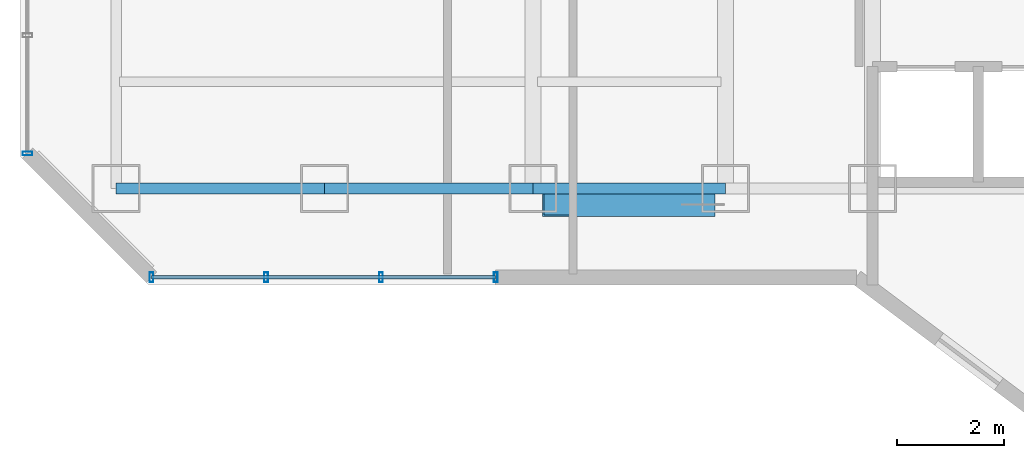
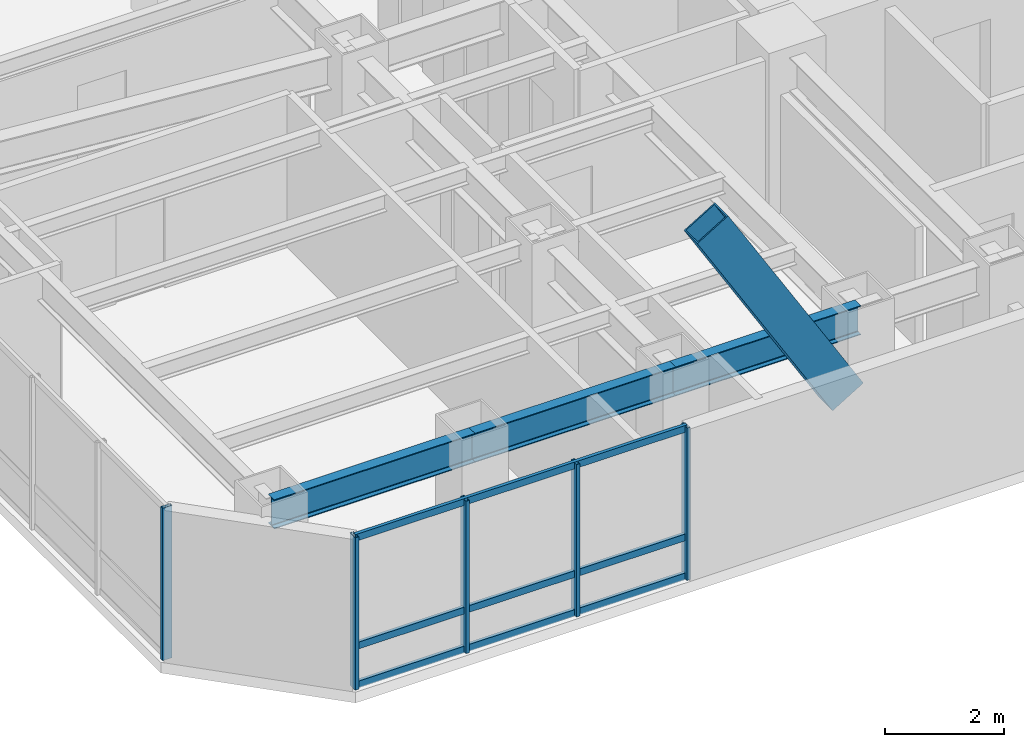
# One storey, part 2 of 31: 9 members, 3 beams, 2 elements without a shape of their own.
"""IFC4 building model written with IfcOpenShell, lengths in metres."""

import ifcopenshell
import ifcopenshell.guid

model = None  # the IFC model being written
_history = None  # IfcOwnerHistory: only IFC2X3 demands one
_inside = {}  # id of a spatial element -> (the spatial element, [elements in it])
_under = {}  # id of a project, library or spatial element -> (it, [spatial elements below it])
_declared = {}  # id of a project -> (the project, [libraries it declares])
_typed = {}  # id of a type object -> (the type object, [elements of that type])
_made_of = {}  # id of a material, layer set ... -> (it, [elements and type objects made of it])


def new_model(schema):
    """Start an empty IFC model of exactly this schema.

    Asked for "IFC4X3", IfcOpenShell would pick the latest addendum, in which some entities
    have other attributes; the version numbers below select the first issue.
    IFC2X3 requires an IfcOwnerHistory on every rooted entity: one is made here for all.
    """
    global model, _history
    if schema == "IFC4X3":
        model = ifcopenshell.file(schema_version=(4, 3, 0, 0))
    else:
        model = ifcopenshell.file(schema=schema)
    _inside.clear()
    _under.clear()
    _declared.clear()
    _typed.clear()
    _made_of.clear()
    _history = None
    if model.schema == "IFC2X3":
        org = make("IfcOrganization", Name="unknown")
        user = make(
            "IfcPersonAndOrganization",
            ThePerson=make("IfcPerson", FamilyName="unknown"),
            TheOrganization=org,
        )
        app = make(
            "IfcApplication",
            ApplicationDeveloper=org,
            Version="unknown",
            ApplicationFullName="unknown",
            ApplicationIdentifier="unknown",
        )
        _history = make(
            "IfcOwnerHistory",
            OwningUser=user,
            OwningApplication=app,
            ChangeAction="ADDED",
            CreationDate=0,
        )
    return model


def make(cls, **values):
    """One entity of the class cls with the attributes given. An attribute that is None is left unset."""
    return model.create_entity(
        cls, **{name: value for name, value in values.items() if value is not None}
    )


def rooted(cls, **values):
    """An entity with a GlobalId (a new one), such as an element, a storey or a relation."""
    return make(cls, GlobalId=ifcopenshell.guid.new(), OwnerHistory=_history, **values)


def si_unit(unit_type, name, prefix=None):
    """IfcSIUnit, for example si_unit("LENGTHUNIT", "METRE", prefix="MILLI")."""
    return make("IfcSIUnit", UnitType=unit_type, Prefix=prefix, Name=name)


def assignment(units):
    """IfcUnitAssignment: the units of a project."""
    return None if units is None else make("IfcUnitAssignment", Units=units)


def point(xyz):
    """IfcCartesianPoint."""
    return None if xyz is None else make("IfcCartesianPoint", Coordinates=xyz)


def direction(xyz):
    """IfcDirection."""
    return None if xyz is None else make("IfcDirection", DirectionRatios=xyz)


def frame(location, z_axis=None, x_axis=None):
    """IfcAxis2Placement3D, a coordinate frame: its origin and axes. An axis left out is left unset."""
    return make(
        "IfcAxis2Placement3D",
        Location=point(location),
        Axis=direction(z_axis),
        RefDirection=direction(x_axis),
    )


def frame_2d(location, x_axis=None):
    """IfcAxis2Placement2D, a coordinate frame in the plane: its origin and x axis."""
    return make(
        "IfcAxis2Placement2D", Location=point(location), RefDirection=direction(x_axis)
    )


def origin():
    """The frame at (0, 0, 0) with its axes left unset."""
    return frame((0.0, 0.0, 0.0))


def origin_2d():
    """The frame at (0, 0) in the plane with its x axis left unset."""
    return frame_2d((0.0, 0.0))


def place(relative_to, where):
    """IfcLocalPlacement: puts the frame where relative to a parent placement (None: the world)."""
    return make(
        "IfcLocalPlacement", PlacementRelTo=relative_to, RelativePlacement=where
    )


def context(
    kind, dimensions, precision=None, world=None, true_north=None, identifier=None
):
    """IfcGeometricRepresentationContext, for example the 3D "Model" context."""
    return make(
        "IfcGeometricRepresentationContext",
        ContextIdentifier=identifier,
        ContextType=kind,
        CoordinateSpaceDimension=dimensions,
        Precision=precision,
        WorldCoordinateSystem=world,
        TrueNorth=true_north,
    )


def subcontext(parent, identifier, kind, view, scale=None):
    """IfcGeometricRepresentationSubContext, for example "Body" below "Model"."""
    return make(
        "IfcGeometricRepresentationSubContext",
        ContextIdentifier=identifier,
        ContextType=kind,
        ParentContext=parent,
        TargetScale=scale,
        TargetView=view,
    )


def project(units=None, contexts=None):
    """IfcProject with its units and contexts."""
    return rooted(
        "IfcProject",
        Name="project",
        RepresentationContexts=contexts,
        UnitsInContext=assignment(units),
    )


def spatial(cls, under=None, at=None, **own):
    """A site, building, storey or space (cls), placed at a placement, below another one or the project."""
    s = rooted(cls, ObjectPlacement=at, **own)
    if under is not None:
        _under.setdefault(under.id(), (under, []))[1].append(s)
    return s


def profile(cls, at=None, kind="AREA", **sizes):
    """A parametric profile (cls). Its sizes go by their IFC names, for example OverallWidth=200.0."""
    return make(cls, ProfileType=kind, Position=at, **sizes)


def hollow_rectangle(**sizes):
    """IfcRectangleHollowProfileDef."""
    return profile("IfcRectangleHollowProfileDef", **sizes)


def i_section(**sizes):
    """IfcIShapeProfileDef."""
    return profile("IfcIShapeProfileDef", **sizes)


def extrude(swept, where, along, depth):
    """IfcExtrudedAreaSolid: the profile swept, set in the frame where, extruded along a direction by depth."""
    return make(
        "IfcExtrudedAreaSolid",
        SweptArea=swept,
        Position=where,
        ExtrudedDirection=direction(along),
        Depth=depth,
    )


def shape(context_of_items, identifier, shape_type, items):
    """IfcShapeRepresentation: the items that make up one representation, for example the "Body"."""
    return make(
        "IfcShapeRepresentation",
        ContextOfItems=context_of_items,
        RepresentationIdentifier=identifier,
        RepresentationType=shape_type,
        Items=items,
    )


def material(Name=None, Category=None):
    """IfcMaterial."""
    return make("IfcMaterial", Name=Name, Category=Category)


def layer(
    of_material, thickness, ventilated=None, Name=None, Category=None, Priority=None
):
    """IfcMaterialLayer: one layer of a wall or slab, of a material (None: an air gap)."""
    return make(
        "IfcMaterialLayer",
        Material=of_material,
        LayerThickness=thickness,
        IsVentilated=ventilated,
        Name=Name,
        Category=Category,
        Priority=Priority,
    )


def layer_set(layers, Name=None):
    """IfcMaterialLayerSet."""
    return make("IfcMaterialLayerSet", MaterialLayers=layers, LayerSetName=Name)


def material_profile(
    of_material, cross_section, Name=None, Category=None, Priority=None
):
    """IfcMaterialProfile: a cross section and its material."""
    return make(
        "IfcMaterialProfile",
        Name=Name,
        Material=of_material,
        Profile=cross_section,
        Priority=Priority,
        Category=Category,
    )


def profile_set(profiles, Name=None, composite=None):
    """IfcMaterialProfileSet."""
    return make(
        "IfcMaterialProfileSet",
        Name=Name,
        MaterialProfiles=profiles,
        CompositeProfile=composite,
    )


def made_of(thing, what):
    """Note that an element or type object is made of a material, layer set ...; save() writes the relation."""
    if what is not None:
        _made_of.setdefault(what.id(), (what, []))[1].append(thing)
    return thing


def type_object(cls, material=None, **own):
    """A type object (cls), such as IfcWallType, which elements share."""
    return made_of(rooted(cls, **own), material)


def element(
    cls,
    number,
    at=None,
    inside=None,
    cuts=None,
    type_object=None,
    material=None,
    context=None,
    identifier="Body",
    shape_type=None,
    held_by="IfcProductDefinitionShape",
    body=None,
    shapes=None,
    **own,
):
    """One element of the class cls, such as IfcWall. Its Tag is "e" and its number.

    at: its placement. inside: the storey or other place that contains it. cuts: it is an
    opening in that element (IfcRelVoidsElement). A single representation is given by context,
    identifier, shape_type and body (its items); several are given by shapes. held_by: the class
    of the entity that holds the representations. save() writes the other relations.
    """
    e = rooted(cls, Tag="e%d" % number, ObjectPlacement=at, **own)
    if body is not None:
        shapes = [shape(context, identifier, shape_type, body)]
    if shapes is not None:
        e.Representation = make(held_by, Representations=shapes)
    if inside is not None:
        _inside.setdefault(inside.id(), (inside, []))[1].append(e)
    if cuts is not None:
        rooted(
            "IfcRelVoidsElement", RelatingBuildingElement=cuts, RelatedOpeningElement=e
        )
    if type_object is not None:
        _typed.setdefault(type_object.id(), (type_object, []))[1].append(e)
    return made_of(e, material)


def aggregate(whole, parts):
    """IfcRelAggregates: a whole, such as a stair, and the parts it consists of."""
    return rooted("IfcRelAggregates", RelatingObject=whole, RelatedObjects=parts)


def save(model, path):
    """Write the relations noted so far, then the file.

    IfcRelAggregates (storeys below a building ...), IfcRelContainedInSpatialStructure (elements
    in a storey), IfcRelDefinesByType, IfcRelAssociatesMaterial and IfcRelDeclares: one each for
    every whole, place, type object, material and project.
    """
    for whole, parts in _under.values():
        aggregate(whole, parts)
    for where, things in _inside.values():
        rooted(
            "IfcRelContainedInSpatialStructure",
            RelatedElements=things,
            RelatingStructure=where,
        )
    for kind, things in _typed.values():
        rooted("IfcRelDefinesByType", RelatedObjects=things, RelatingType=kind)
    for what, things in _made_of.values():
        rooted("IfcRelAssociatesMaterial", RelatedObjects=things, RelatingMaterial=what)
    for by, libraries in _declared.values():
        rooted("IfcRelDeclares", RelatingContext=by, RelatedDefinitions=libraries)
    model.write(path)


model = new_model("IFC4")

# Units and contexts
model_context = context("Model", 3, precision=1e-05, world=origin(), true_north=direction((0.0, 1.0)))
body_context = subcontext(model_context, "Body", "Model", "MODEL_VIEW")
ifc_project = project(units=[si_unit("LENGTHUNIT", "METRE"), si_unit("AREAUNIT", "SQUARE_METRE"), si_unit("VOLUMEUNIT", "CUBIC_METRE"), si_unit("PLANEANGLEUNIT", "RADIAN"), si_unit("MASSUNIT", "GRAM", prefix="KILO")], contexts=[model_context])

# Site, building, storey
site_placement = place(None, origin())
site = spatial("IfcSite", under=ifc_project, at=site_placement, CompositionType="ELEMENT")
building_placement = place(site_placement, origin())
building = spatial("IfcBuilding", under=site, at=building_placement, Name="Hatsunagi Terrace Concourse", CompositionType="ELEMENT")
storey_placement = place(building_placement, frame((0.0, 0.0, 77.949951171875)))
storey = spatial("IfcBuildingStorey", under=building, at=storey_placement, Name="L20", CompositionType="ELEMENT", Elevation=77.949951171875)

# Curtain wall, members
ifc_material_1 = material(Name="Anodised Aluminium Alloy 6063-T5", Category="aluminium")
ifc_layer = layer(ifc_material_1, 0.199951171875)
ifc_layer_set = layer_set([ifc_layer], Name="HotelFacade_CW02")
curtain_wall_type = type_object("IfcCurtainWallType", Name="HotelFacade_CW02", PredefinedType="NOTDEFINED", material=ifc_layer_set)
curtain_wall_1_placement = place(storey_placement, origin())
curtain_wall_1 = element("IfcCurtainWall", 1, at=curtain_wall_1_placement, inside=storey, type_object=curtain_wall_type, Name="Unitised Curtain Wall CW-02 CW-L20-07", PredefinedType="NOTDEFINED")
ifc_material_2 = material(Name="Anodised Aluminium Alloy 6063-T5", Category="aluminium")
ifc_material_profile_1 = material_profile(ifc_material_2, hollow_rectangle(XDim=0.070068359375, YDim=0.179931640625, WallThickness=0.00390625, at=origin_2d()), Name="ALU-MUL-180x70x4")
ifc_profile_set_1 = profile_set([ifc_material_profile_1], Name="Anodised Aluminium Alloy 6063-T5")
member_type_1 = type_object("IfcMemberType", Name="CurtainWallMullion_180x70", PredefinedType="MULLION", material=ifc_profile_set_1)
member_1_placement = place(storey_placement, frame((18.5, 23.5400390625, 0.0), z_axis=(0.0, 0.0, 1.0), x_axis=(-1.0, 0.0, 0.0)))
member_1 = element("IfcMember", 2, at=member_1_placement, type_object=member_type_1, Name="Curtain Wall Mullion MUL-02", PredefinedType="MULLION", context=body_context, shape_type="SweptSolid", body=[
    extrude(hollow_rectangle(XDim=0.070068359375, YDim=0.179931640625, WallThickness=0.00390625, at=origin_2d()), origin(), (0.0, 0.0, 1.0), 3.130126953125),
])
member_2_placement = place(storey_placement, frame((16.35302734375, 23.5400390625, 0.0), z_axis=(0.0, 0.0, 1.0), x_axis=(-1.0, 0.0, 0.0)))
member_2 = element("IfcMember", 3, at=member_2_placement, type_object=member_type_1, Name="Curtain Wall Mullion MUL-02", PredefinedType="MULLION", context=body_context, shape_type="SweptSolid", body=[
    extrude(hollow_rectangle(XDim=0.070068359375, YDim=0.179931640625, WallThickness=0.00390625, at=origin_2d()), origin(), (0.0, 0.0, 1.0), 3.130126953125),
])
member_3_placement = place(storey_placement, frame((14.205078125, 23.5400390625, 0.0), z_axis=(0.0, 0.0, 1.0), x_axis=(-1.0, 0.0, 0.0)))
member_3 = element("IfcMember", 4, at=member_3_placement, type_object=member_type_1, Name="Curtain Wall Mullion MUL-02", PredefinedType="MULLION", context=body_context, shape_type="SweptSolid", body=[
    extrude(hollow_rectangle(XDim=0.070068359375, YDim=0.179931640625, WallThickness=0.00390625, at=origin_2d()), origin(), (0.0, 0.0, 1.0), 3.130126953125),
])
member_4_placement = place(storey_placement, frame((12.05810546875, 23.5400390625, 0.0), z_axis=(0.0, 0.0, 1.0), x_axis=(-1.0, 0.0, 0.0)))
member_4 = element("IfcMember", 5, at=member_4_placement, type_object=member_type_1, Name="Curtain Wall Mullion MUL-02", PredefinedType="MULLION", context=body_context, shape_type="SweptSolid", body=[
    extrude(hollow_rectangle(XDim=0.070068359375, YDim=0.179931640625, WallThickness=0.00390625, at=origin_2d()), origin(), (0.0, 0.0, 1.0), 3.130126953125),
])

# Curtain wall, member
curtain_wall_2_placement = place(storey_placement, origin())
curtain_wall_2 = element("IfcCurtainWall", 6, at=curtain_wall_2_placement, inside=storey, type_object=curtain_wall_type, Name="Unitised Curtain Wall CW-02 CW-L20-09", PredefinedType="NOTDEFINED")
member_5_placement = place(storey_placement, frame((9.739990234375, 25.85791015625, 0.0), z_axis=(0.0, 0.0, 1.0), x_axis=(0.0, 1.0, 0.0)))
member_5 = element("IfcMember", 7, at=member_5_placement, type_object=member_type_1, Name="Curtain Wall Mullion MUL-02", PredefinedType="MULLION", context=body_context, shape_type="SweptSolid", body=[
    extrude(hollow_rectangle(XDim=0.070068359375, YDim=0.179931640625, WallThickness=0.00390625, at=origin_2d()), origin(), (0.0, 0.0, 1.0), 3.130126953125),
])
aggregate(curtain_wall_2, [member_5])

# Member
ifc_material_3 = material(Name="Anodised Aluminium Alloy 6063-T5", Category="aluminium")
ifc_material_profile_2 = material_profile(ifc_material_3, hollow_rectangle(XDim=0.06494140625, YDim=0.139892578125, WallThickness=0.00390625, at=origin_2d()), Name="ALU-TRN-140x65x4")
ifc_profile_set_2 = profile_set([ifc_material_profile_2], Name="Anodised Aluminium Alloy 6063-T5")
member_type_2 = type_object("IfcMemberType", Name="CurtainWallTransom_140x65", PredefinedType="USERDEFINED", material=ifc_profile_set_2)
member_6_placement = place(storey_placement, frame((18.5, 23.5400390625, 0.050048828125), z_axis=(-1.0, 0.0, 0.0), x_axis=(0.0, -1.0, 0.0)))
member_6 = element("IfcMember", 8, at=member_6_placement, type_object=member_type_2, Name="Curtain Wall Transom TRN-02", ObjectType="TRANSOM", PredefinedType="USERDEFINED", context=body_context, shape_type="SweptSolid", body=[
    extrude(hollow_rectangle(XDim=0.06494140625, YDim=0.139892578125, WallThickness=0.00390625, at=origin_2d()), origin(), (0.0, 0.0, 1.0), 6.44189453125),
])

member_7_placement = place(storey_placement, frame((18.5, 23.5400390625, 0.85009765625), z_axis=(-1.0, 0.0, 0.0), x_axis=(0.0, -1.0, 0.0)))
member_7 = element("IfcMember", 9, at=member_7_placement, type_object=member_type_2, Name="Curtain Wall Transom TRN-02", ObjectType="TRANSOM", PredefinedType="USERDEFINED", context=body_context, shape_type="SweptSolid", body=[
    extrude(hollow_rectangle(XDim=0.06494140625, YDim=0.139892578125, WallThickness=0.00390625, at=origin_2d()), origin(), (0.0, 0.0, 1.0), 6.44189453125),
])

member_8_placement = place(storey_placement, frame((18.5, 23.5400390625, 3.080078125), z_axis=(-1.0, 0.0, 0.0), x_axis=(0.0, -1.0, 0.0)))
member_8 = element("IfcMember", 10, at=member_8_placement, type_object=member_type_2, Name="Curtain Wall Transom TRN-02", ObjectType="TRANSOM", PredefinedType="USERDEFINED", context=body_context, shape_type="SweptSolid", body=[
    extrude(hollow_rectangle(XDim=0.06494140625, YDim=0.139892578125, WallThickness=0.00390625, at=origin_2d()), origin(), (0.0, 0.0, 1.0), 6.44189453125),
])

aggregate(curtain_wall_1, [member_1, member_2, member_3, member_4, member_6, member_7, member_8])

# Beams
ifc_material_4 = material(Name="Steel SN490B", Category="steel")
ifc_material_profile_3 = material_profile(ifc_material_4, i_section(OverallWidth=0.199951171875, OverallDepth=0.60009765625, WebThickness=0.010986328125, FlangeThickness=0.01708984375, FilletRadius=0.01806640625, at=origin_2d()), Name="H-600x200x11x17")
ifc_profile_set_3 = profile_set([ifc_material_profile_3], Name="Steel SN490B")
beam_type = type_object("IfcBeamType", Name="PerimeterSpandrel_H_600x200", PredefinedType="SPANDREL", material=ifc_profile_set_3)
beam_1_placement = place(storey_placement, frame((11.39990234375, 25.199951171875, 2.830078125), z_axis=(1.0, 0.0, 0.0), x_axis=(0.0, 1.0, 0.0)))
element("IfcBeam", 11, at=beam_1_placement, inside=storey, type_object=beam_type, Name="Beam SP-01 BM-L20-WS-11", PredefinedType="SPANDREL", context=body_context, shape_type="SweptSolid", body=[
    extrude(i_section(OverallWidth=0.199951171875, OverallDepth=0.60009765625, WebThickness=0.010986328125, FlangeThickness=0.01708984375, FilletRadius=0.01806640625, at=origin_2d()), origin(), (0.0, 0.0, 1.0), 3.900146484375),
])
beam_2_placement = place(storey_placement, frame((15.300048828125, 25.199951171875, 2.830078125), z_axis=(1.0, 0.0, 0.0), x_axis=(0.0, 1.0, 0.0)))
element("IfcBeam", 12, at=beam_2_placement, inside=storey, type_object=beam_type, Name="Beam SP-01 BM-L20-WS-15", PredefinedType="SPANDREL", context=body_context, shape_type="SweptSolid", body=[
    extrude(i_section(OverallWidth=0.199951171875, OverallDepth=0.60009765625, WebThickness=0.010986328125, FlangeThickness=0.01708984375, FilletRadius=0.01806640625, at=origin_2d()), origin(), (0.0, 0.0, 1.0), 3.89990234375),
])
beam_3_placement = place(storey_placement, frame((19.199951171875, 25.199951171875, 2.830078125), z_axis=(1.0, 0.0, 0.0), x_axis=(0.0, 1.0, 0.0)))
element("IfcBeam", 13, at=beam_3_placement, inside=storey, type_object=beam_type, Name="Beam SP-01 BM-L20-WS-19", PredefinedType="SPANDREL", context=body_context, shape_type="SweptSolid", body=[
    extrude(i_section(OverallWidth=0.199951171875, OverallDepth=0.60009765625, WebThickness=0.010986328125, FlangeThickness=0.01708984375, FilletRadius=0.01806640625, at=origin_2d()), origin(), (0.0, 0.0, 1.0), 3.60009765625),
])

# Member
ifc_material_5 = material(Name="Steel SN490B", Category="steel")
ifc_material_profile_4 = material_profile(ifc_material_5, hollow_rectangle(XDim=0.449951171875, YDim=0.699951171875, WallThickness=0.028076171875, at=origin_2d()), Name="RHS-700x450x28")
ifc_profile_set_4 = profile_set([ifc_material_profile_4], Name="Steel SN490B")
member_type_3 = type_object("IfcMemberType", Name="PerimeterXBrace_Lower_RHS_700x450x28", PredefinedType="BRACE", material=ifc_profile_set_4)
member_9_placement = place(storey_placement, frame((19.675048828125, 24.89990234375, 6.0400390625), z_axis=(0.516654048196, 0.0, -0.856194250438), x_axis=(0.0, 1.0, 0.0)))
element("IfcMember", 14, at=member_9_placement, inside=storey, type_object=member_type_3, Name="Perimeter X-Brace Split Upper XB-01 XB-L19-W1B1", PredefinedType="BRACE", context=body_context, shape_type="SweptSolid", body=[
    extrude(hollow_rectangle(XDim=0.449951171875, YDim=0.699951171875, WallThickness=0.028076171875, at=origin_2d()), origin(), (0.0, 0.0, 1.0), 5.08642578125),
])

save(model, "model.ifc")
